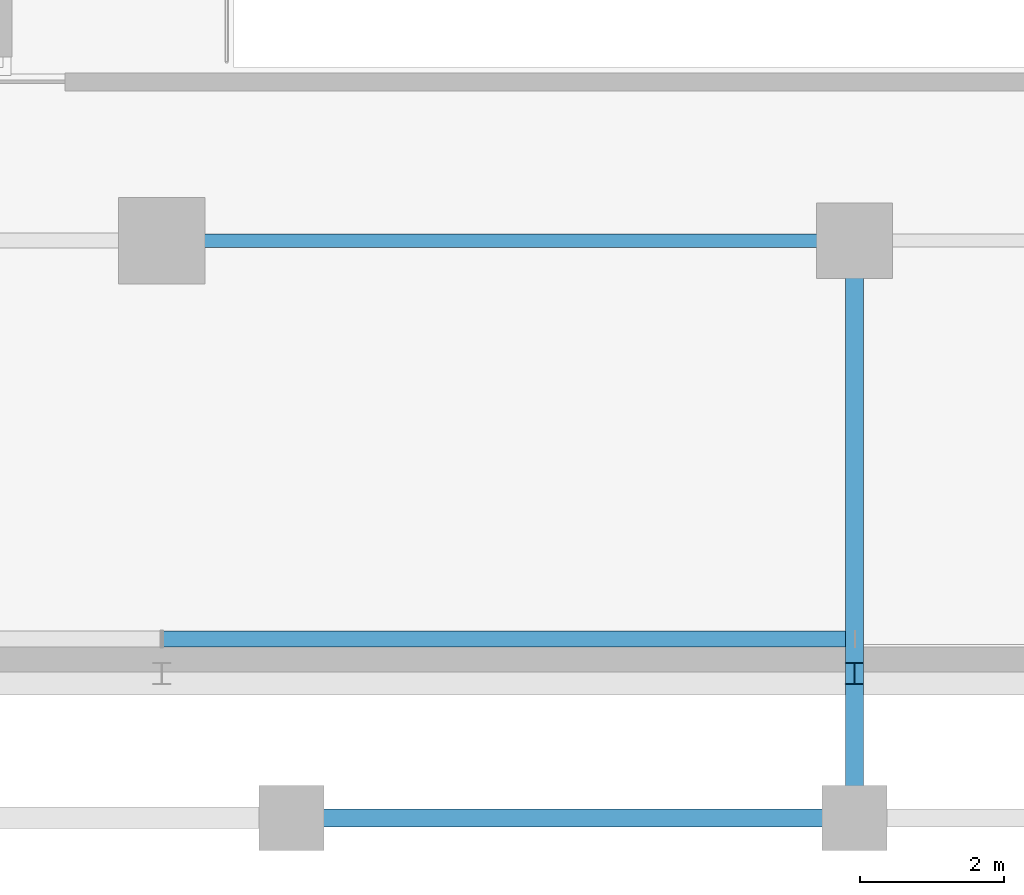
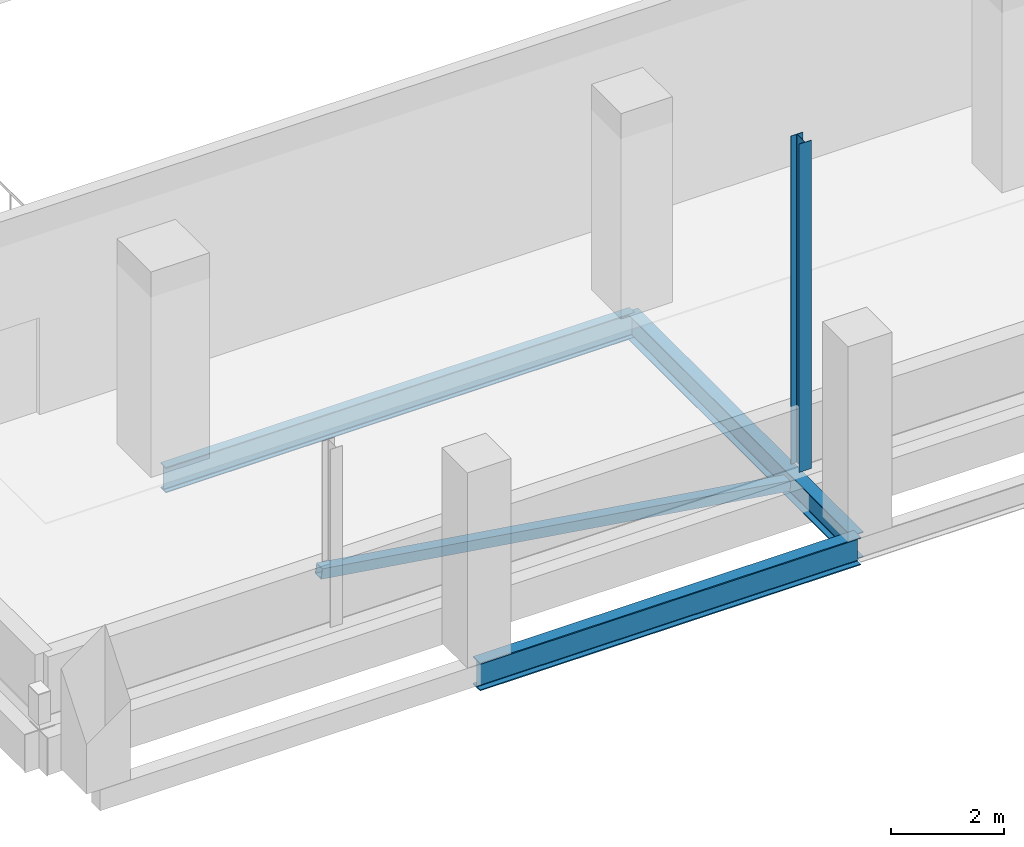
# One storey, part 16 of 85: 3 beams, 2 members.
"""IFC4 building model written with IfcOpenShell, lengths in metres."""

from ifc_helpers import new_model, si_unit, derived_unit, direction, frame, origin, origin_2d, place, context, subcontext, project, spatial, hollow_rectangle, i_section, extrude, material, material_profile, profile_set, type_object, element, save


model = new_model("IFC4")

# Units and contexts
model_context = context("Model", 3, precision=1e-05, world=origin(), true_north=direction((0.0, 1.0)))
body_context = subcontext(model_context, "Body", "Model", "MODEL_VIEW")
ifc_project = project(units=[si_unit("LENGTHUNIT", "METRE"), si_unit("AREAUNIT", "SQUARE_METRE"), si_unit("VOLUMEUNIT", "CUBIC_METRE"), si_unit("PLANEANGLEUNIT", "RADIAN"), si_unit("MASSUNIT", "GRAM", prefix="KILO"), derived_unit("THERMALTRANSMITTANCEUNIT", [(si_unit("POWERUNIT", "WATT"), 1), (si_unit("LENGTHUNIT", "METRE"), -2), (si_unit("THERMODYNAMICTEMPERATUREUNIT", "KELVIN"), -1)])], contexts=[model_context])

# Site, building, storey
site_placement = place(None, origin())
site = spatial("IfcSite", under=ifc_project, at=site_placement, CompositionType="ELEMENT")
building_placement = place(site_placement, origin())
building = spatial("IfcBuilding", under=site, at=building_placement, Name="Nallur Shell Playhouse", CompositionType="ELEMENT")
storey_placement = place(building_placement, frame((0.0, 0.0, 19.800048828125)))
storey = spatial("IfcBuildingStorey", under=building, at=storey_placement, Name="L05", CompositionType="ELEMENT", Elevation=19.800048828125)

# Beams
ifc_material = material(Name="Steel E350", Category="steel")
ifc_material_profile_1 = material_profile(ifc_material, i_section(OverallWidth=0.18994140625, OverallDepth=0.550048828125, WebThickness=0.01123046875, FlangeThickness=0.019287109375, FilletRadius=0.01806640625, at=origin_2d()), Name="ISMB 550")
ifc_profile_set_1 = profile_set([ifc_material_profile_1], Name="Steel E350")
beam_type_1 = type_object("IfcBeamType", Name="BM-ST-ISMB550", PredefinedType="BEAM", material=ifc_profile_set_1)
beam_1_placement = place(storey_placement, frame((70.0, 16.0, -0.525146484375), z_axis=(1.0, 0.0, 0.0), x_axis=(0.0, 1.0, 0.0)))
element("IfcBeam", 1, at=beam_1_placement, inside=storey, type_object=beam_type_1, Name="L05 girder X-B-937", PredefinedType="BEAM", context=body_context, shape_type="SweptSolid", body=[
    extrude(i_section(OverallWidth=0.18994140625, OverallDepth=0.550048828125, WebThickness=0.01123046875, FlangeThickness=0.019287109375, FilletRadius=0.01806640625, at=origin_2d()), origin(), (0.0, 0.0, 1.0), 9.60009765625),
])
ifc_material_profile_2 = material_profile(ifc_material, i_section(OverallWidth=0.25, OverallDepth=0.550048828125, WebThickness=0.010498046875, FlangeThickness=0.017578125, FilletRadius=0.01611328125, at=origin_2d()), Name="ISWB 550")
ifc_profile_set_2 = profile_set([ifc_material_profile_2], Name="Steel E350")
beam_type_2 = type_object("IfcBeamType", Name="BM-ST-ISWB550", PredefinedType="BEAM", material=ifc_profile_set_2)
beam_2_placement = place(storey_placement, frame((79.60009765625, 8.0, -0.525146484375), z_axis=(0.0, 1.0, 0.0), x_axis=(-1.0, 0.0, 0.0)))
element("IfcBeam", 2, at=beam_2_placement, inside=storey, type_object=beam_type_2, Name="L05 girder Y-10-1026", PredefinedType="BEAM", context=body_context, shape_type="SweptSolid", body=[
    extrude(i_section(OverallWidth=0.25, OverallDepth=0.550048828125, WebThickness=0.010498046875, FlangeThickness=0.017578125, FilletRadius=0.01611328125, at=origin_2d()), origin(), (0.0, 0.0, 1.0), 8.0),
])
ifc_material_profile_3 = material_profile(ifc_material, i_section(OverallWidth=0.25, OverallDepth=0.60009765625, WebThickness=0.01171875, FlangeThickness=0.023681640625, FilletRadius=0.01708984375, at=origin_2d()), Name="ISWB 600")
ifc_profile_set_3 = profile_set([ifc_material_profile_3], Name="Steel E350")
beam_type_3 = type_object("IfcBeamType", Name="BM-ST-ISWB600", PredefinedType="BEAM", material=ifc_profile_set_3)
beam_3_placement = place(storey_placement, frame((71.800048828125, 8.0, -0.550048828125), z_axis=(1.0, 0.0, 0.0), x_axis=(0.0, 1.0, 0.0)))
element("IfcBeam", 3, at=beam_3_placement, inside=storey, type_object=beam_type_3, Name="L05 girder X-A-929", PredefinedType="BEAM", context=body_context, shape_type="SweptSolid", body=[
    extrude(i_section(OverallWidth=0.25, OverallDepth=0.60009765625, WebThickness=0.01171875, FlangeThickness=0.023681640625, FilletRadius=0.01708984375, at=origin_2d()), origin(), (0.0, 0.0, 1.0), 7.800048828125),
])

# Members
ifc_material_profile_4 = material_profile(ifc_material, i_section(OverallWidth=0.25, OverallDepth=0.300048828125, WebThickness=0.009521484375, FlangeThickness=0.010498046875, FilletRadius=0.010986328125, at=origin_2d()), Name="ISHB 300")
ifc_profile_set_4 = profile_set([ifc_material_profile_4], Name="Steel E350")
member_type_1 = type_object("IfcMemberType", Name="MB-FASCIA-POST", PredefinedType="POST", material=ifc_profile_set_4)
member_1_placement = place(storey_placement, frame((79.60009765625, 10.0, 0.0), z_axis=(0.0, 0.0, 1.0), x_axis=(1.0, 0.0, 0.0)))
element("IfcMember", 4, at=member_1_placement, inside=storey, type_object=member_type_1, Name="Cantilever truss fascia post POST-GB-L05-03", PredefinedType="POST", context=body_context, shape_type="SweptSolid", body=[
    extrude(i_section(OverallWidth=0.25, OverallDepth=0.300048828125, WebThickness=0.009521484375, FlangeThickness=0.010498046875, FilletRadius=0.010986328125, at=origin_2d()), origin(), (0.0, 0.0, 1.0), 7.10791015625),
])
ifc_material_profile_5 = material_profile(ifc_material, hollow_rectangle(XDim=0.219970703125, YDim=0.219970703125, WallThickness=0.011962890625, at=origin_2d()), Name="SHS 220x220x12")
ifc_profile_set_5 = profile_set([ifc_material_profile_5], Name="Steel E350")
member_type_2 = type_object("IfcMemberType", Name="MB-FT-BRACE2", PredefinedType="BRACE", material=ifc_profile_set_5)
member_2_placement = place(storey_placement, frame((79.60009765625, 10.47998046875, -0.650146484375), z_axis=(-0.988781995438, 0.0, 0.149365877954), x_axis=(0.0, -1.0, 0.0)))
element("IfcMember", 5, at=member_2_placement, inside=storey, type_object=member_type_2, Name="Gold box fascia brace L05-6", PredefinedType="BRACE", context=body_context, shape_type="SweptSolid", body=[
    extrude(hollow_rectangle(XDim=0.219970703125, YDim=0.219970703125, WallThickness=0.011962890625, at=origin_2d()), origin(), (0.0, 0.0, 1.0), 9.708984375),
])

save(model, "model.ifc")
